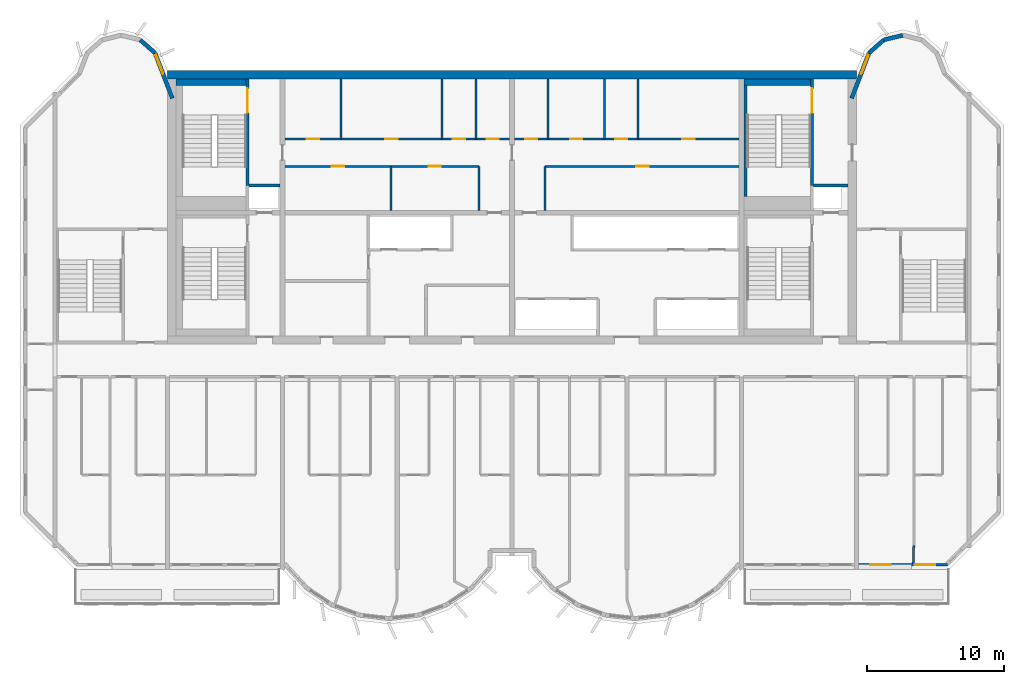
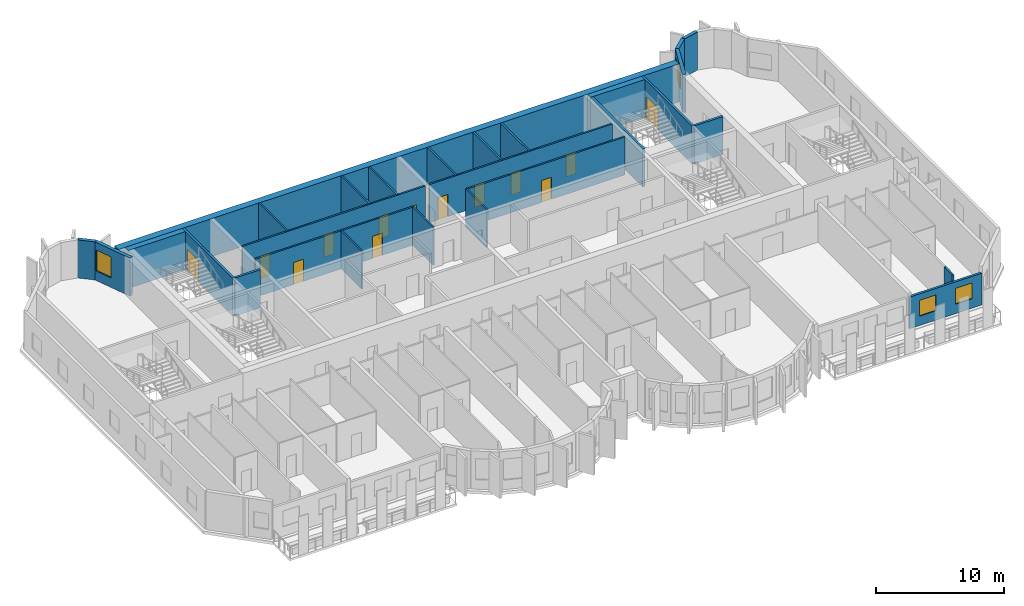
# One storey, part 7 of 11: 28 walls, 13 doors, 4 windows, 17 openings.
"""IFC4 building model written with IfcOpenShell, lengths in metres."""

from ifc_helpers import new_model, si_unit, direction, frame, frame_2d, origin, place, context, subcontext, project, spatial, rectangle, extrude, source, transform, mapped, material, layer, layer_set, type_object, element, fill, save


model = new_model("IFC4")

# Units and contexts
model_context = context("Model", 3, precision=1e-05, world=origin(), true_north=direction((0.0, 1.0)))
body_context = subcontext(model_context, "Body", "Model", "MODEL_VIEW")
ifc_project = project(units=[si_unit("LENGTHUNIT", "METRE"), si_unit("AREAUNIT", "SQUARE_METRE"), si_unit("VOLUMEUNIT", "CUBIC_METRE"), si_unit("PLANEANGLEUNIT", "RADIAN"), si_unit("MASSUNIT", "GRAM", prefix="KILO")], contexts=[model_context])

# Site, building, storey
site_placement = place(None, origin())
site = spatial("IfcSite", under=ifc_project, at=site_placement, CompositionType="ELEMENT")
building_placement = place(site_placement, origin())
building = spatial("IfcBuilding", under=site, at=building_placement, Name="Vanashikhar Sky Hotel", CompositionType="ELEMENT")
storey_placement = place(building_placement, frame((0.0, 0.0, 225.699951171875)))
storey = spatial("IfcBuildingStorey", under=building, at=storey_placement, Name="L54", CompositionType="ELEMENT", Elevation=225.699951171875)

# Wall
ifc_material_1 = material(Name="Concrete M60", Category="concrete")
ifc_layer_1 = layer(ifc_material_1, 0.60009765625)
ifc_layer_set_1 = layer_set([ifc_layer_1], Name="RC core shell wall 600 Concrete M60")
wall_type_1 = type_object("IfcWallType", Name="RC core shell wall 600 Concrete M60", PredefinedType="SHEAR", material=ifc_layer_set_1)
shared_shape_1 = source(origin(), body_context, "Body", "SweptSolid", [
    extrude(rectangle(XDim=50.400146484375, YDim=0.60009765625, at=frame_2d((25.2001953125, 0.0))), origin(), (0.0, 0.0, 1.0), 3.6201171875),
])
wall_1_placement = place(storey_placement, frame((25.199951171875, 41.699951171875, 0.0), z_axis=(0.0, 0.0, 1.0), x_axis=(1.0, 0.0, 0.0)))
element("IfcWall", 1, at=wall_1_placement, inside=storey, type_object=wall_type_1, Name="KW-L54-KN", PredefinedType="SHEAR", context=body_context, shape_type="MappedRepresentation", body=[
    mapped(shared_shape_1, transform((0.0, 0.0, 0.0), scale=1.0)),
])

# Wall, openings, windows
ifc_material_2 = material(Name="Concrete M50", Category="concrete")
ifc_layer_2 = layer(ifc_material_2, 0.199951171875)
ifc_layer_set_2 = layer_set([ifc_layer_2], Name="Front window wall 200")
wall_type_2 = type_object("IfcWallType", Name="Front window wall 200", PredefinedType="SOLIDWALL", material=ifc_layer_set_2)
shared_shape_2 = source(origin(), body_context, "Body", "SweptSolid", [
    extrude(rectangle(XDim=6.5048828125, YDim=0.199951171875, at=frame_2d((3.25244140625, 0.0))), origin(), (0.0, 0.0, 1.0), 3.02001953125),
])
wall_2_placement = place(storey_placement, frame((75.75, 5.85009765625, 0.0), z_axis=(0.0, 0.0, 1.0), x_axis=(1.0, 0.0, 0.0)))
wall_2 = element("IfcWall", 2, at=wall_2_placement, inside=storey, type_object=wall_type_2, Name="Front window wall", PredefinedType="SOLIDWALL", context=body_context, shape_type="MappedRepresentation", body=[
    mapped(shared_shape_2, transform((0.0, 0.0, 0.0), scale=1.0)),
])
shared_shape_3 = source(origin(), body_context, "Body", "SweptSolid", [
    extrude(rectangle(XDim=1.5, YDim=1.5, at=frame_2d((0.75, 0.75))), frame((0.0, 0.10986328125, 0.0), z_axis=(0.0, -1.0, 0.0), x_axis=(1.0, 0.0, 0.0)), (0.0, 0.0, 1.0), 0.219970703125),
])
opening_1_placement = place(wall_2_placement, frame((0.876220703125, 0.0, 0.89990234375)))
opening_1 = element("IfcOpeningElement", 3, at=opening_1_placement, cuts=wall_2, Name="Opening WN-1", PredefinedType="OPENING", context=body_context, shape_type="MappedRepresentation", body=[
    mapped(shared_shape_3, transform((0.0, 0.0, 0.0), scale=1.0)),
])
opening_2_placement = place(wall_2_placement, frame((4.128662109375, 0.0, 0.89990234375)))
opening_2 = element("IfcOpeningElement", 4, at=opening_2_placement, cuts=wall_2, Name="Opening WN-1", PredefinedType="OPENING", context=body_context, shape_type="MappedRepresentation", body=[
    mapped(shared_shape_3, transform((0.0, 0.0, 0.0), scale=1.0)),
])
ifc_material_3 = material(Name="Glass", Category="glass")
window_type_1 = type_object("IfcWindowType", Name="Window 1500 x 1500", PartitioningType="SINGLE_PANEL", PredefinedType="WINDOW", material=ifc_material_3)
shared_shape_4 = source(origin(), body_context, "Body", "SweptSolid", [
    extrude(rectangle(XDim=1.5, YDim=1.5, at=frame_2d((0.75, 0.75))), frame((0.0, 0.030029296875, 0.0), z_axis=(0.0, -1.0, 0.0), x_axis=(1.0, 0.0, 0.0)), (0.0, 0.0, 1.0), 0.06005859375),
])
window_1_placement = place(opening_1_placement, origin())
window_1 = element("IfcWindow", 5, at=window_1_placement, inside=storey, type_object=window_type_1, Name="Window WN-1", OverallHeight=1.5, OverallWidth=1.5, PartitioningType="SINGLE_PANEL", PredefinedType="WINDOW", context=body_context, shape_type="MappedRepresentation", body=[
    mapped(shared_shape_4, transform((0.0, 0.0, 0.0), scale=1.0)),
])
fill(opening_1, window_1)
window_2_placement = place(opening_2_placement, origin())
window_2 = element("IfcWindow", 6, at=window_2_placement, inside=storey, type_object=window_type_1, Name="Window WN-1", OverallHeight=1.5, OverallWidth=1.5, PartitioningType="SINGLE_PANEL", PredefinedType="WINDOW", context=body_context, shape_type="MappedRepresentation", body=[
    mapped(shared_shape_4, transform((0.0, 0.0, 0.0), scale=1.0)),
])
fill(opening_2, window_2)

# Walls
ifc_layer_3 = layer(ifc_material_2, 0.300048828125)
ifc_layer_set_3 = layer_set([ifc_layer_3], Name="Lobe wall 300")
wall_type_3 = type_object("IfcWallType", Name="Lobe wall 300", PredefinedType="SOLIDWALL", material=ifc_layer_set_3)
shared_shape_5 = source(origin(), body_context, "Body", "SweptSolid", [
    extrude(rectangle(XDim=1.43994140625, YDim=0.300048828125, at=frame_2d((0.719970703125, 0.0))), origin(), (0.0, 0.0, 1.0), 3.6201171875),
])
wall_3_placement = place(storey_placement, frame((77.602783203125, 44.2451171875, 0.0), z_axis=(0.0, 0.0, 1.0), x_axis=(-0.74957555648, -0.661918790432, 0.0)))
element("IfcWall", 7, at=wall_3_placement, inside=storey, type_object=wall_type_3, Name="Lobe wall", PredefinedType="SOLIDWALL", context=body_context, shape_type="MappedRepresentation", body=[
    mapped(shared_shape_5, transform((0.0, 0.0, 0.0), scale=1.0)),
])
shared_shape_6 = source(origin(), body_context, "Body", "SweptSolid", [
    extrude(rectangle(XDim=1.438720703125, YDim=0.300048828125, at=frame_2d((0.71923828125, 0.0))), origin(), (0.0, 0.0, 1.0), 3.6201171875),
])
wall_4_placement = place(storey_placement, frame((79.0, 44.588134765625, 0.0), z_axis=(0.0, 0.0, 1.0), x_axis=(-0.971161932466, -0.238420848351, 0.0)))
element("IfcWall", 8, at=wall_4_placement, inside=storey, type_object=wall_type_3, Name="Lobe wall", PredefinedType="SOLIDWALL", context=body_context, shape_type="MappedRepresentation", body=[
    mapped(shared_shape_6, transform((0.0, 0.0, 0.0), scale=1.0)),
])

# Wall, opening, window
shared_shape_7 = source(origin(), body_context, "Body", "SweptSolid", [
    extrude(rectangle(XDim=3.55908203125, YDim=0.300048828125, at=frame_2d((1.779541015625, 0.0))), origin(), (0.0, 0.0, 1.0), 3.6201171875),
])
wall_5_placement = place(storey_placement, frame((76.5234375, 43.2919921875, 0.0), z_axis=(0.0, 0.0, 1.0), x_axis=(-0.35779745313, -0.933799219604, 0.0)))
wall_5 = element("IfcWall", 9, at=wall_5_placement, inside=storey, type_object=wall_type_3, Name="Lobe wall", PredefinedType="SOLIDWALL", context=body_context, shape_type="MappedRepresentation", body=[
    mapped(shared_shape_7, transform((0.0, 0.0, 0.0), scale=1.0)),
])
shared_shape_8 = source(origin(), body_context, "Body", "SweptSolid", [
    extrude(rectangle(XDim=1.5, YDim=2.0, at=frame_2d((0.75, 1.0))), frame((0.0, 0.16015625, 0.0), z_axis=(0.0, -1.0, 0.0), x_axis=(1.0, 0.0, 0.0)), (0.0, 0.0, 1.0), 0.320068359375),
])
opening_3_placement = place(wall_5_placement, frame((0.156005859375, 0.0, 0.89990234375)))
opening_3 = element("IfcOpeningElement", 10, at=opening_3_placement, cuts=wall_5, Name="Opening WN-2", PredefinedType="OPENING", context=body_context, shape_type="MappedRepresentation", body=[
    mapped(shared_shape_8, transform((0.0, 0.0, 0.0), scale=1.0)),
])
window_type_2 = type_object("IfcWindowType", Name="Lobe window 1500 x 2000", PartitioningType="SINGLE_PANEL", PredefinedType="WINDOW", material=ifc_material_3)
shared_shape_9 = source(origin(), body_context, "Body", "SweptSolid", [
    extrude(rectangle(XDim=1.5, YDim=2.0, at=frame_2d((0.75, 1.0))), frame((0.0, 0.030029296875, 0.0), z_axis=(0.0, -1.0, 0.0), x_axis=(1.0, 0.0, 0.0)), (0.0, 0.0, 1.0), 0.06005859375),
])
window_3_placement = place(opening_3_placement, origin())
window_3 = element("IfcWindow", 11, at=window_3_placement, inside=storey, type_object=window_type_2, Name="Window WN-2", OverallHeight=2.0, OverallWidth=1.5, PartitioningType="SINGLE_PANEL", PredefinedType="WINDOW", context=body_context, shape_type="MappedRepresentation", body=[
    mapped(shared_shape_9, transform((0.0, 0.0, 0.0), scale=1.0)),
])
fill(opening_3, window_3)

wall_6_placement = place(storey_placement, frame((25.550048828125, 39.968505859375, 0.0), z_axis=(0.0, 0.0, 1.0), x_axis=(-0.35779745313, 0.933799219604, 0.0)))
wall_6 = element("IfcWall", 12, at=wall_6_placement, inside=storey, type_object=wall_type_3, Name="Lobe wall", PredefinedType="SOLIDWALL", context=body_context, shape_type="MappedRepresentation", body=[
    mapped(shared_shape_7, transform((0.0, 0.0, 0.0), scale=1.0)),
])
opening_4_placement = place(wall_6_placement, frame((1.9033203125, 0.0, 0.89990234375)))
opening_4 = element("IfcOpeningElement", 13, at=opening_4_placement, cuts=wall_6, Name="Opening WN-2", PredefinedType="OPENING", context=body_context, shape_type="MappedRepresentation", body=[
    mapped(shared_shape_8, transform((0.0, 0.0, 0.0), scale=1.0)),
])
window_4_placement = place(opening_4_placement, origin())
window_4 = element("IfcWindow", 14, at=window_4_placement, inside=storey, type_object=window_type_2, Name="Window WN-2", OverallHeight=2.0, OverallWidth=1.5, PartitioningType="SINGLE_PANEL", PredefinedType="WINDOW", context=body_context, shape_type="MappedRepresentation", body=[
    mapped(shared_shape_9, transform((0.0, 0.0, 0.0), scale=1.0)),
])
fill(opening_4, window_4)

# Walls
shared_shape_10 = source(origin(), body_context, "Body", "SweptSolid", [
    extrude(rectangle(XDim=1.440185546875, YDim=0.300048828125, at=frame_2d((0.72021484375, 0.0))), origin(), (0.0, 0.0, 1.0), 3.6201171875),
])
wall_7_placement = place(storey_placement, frame((24.276611328125, 43.2919921875, 0.0), z_axis=(0.0, 0.0, 1.0), x_axis=(-0.749649827867, 0.661834673902, 0.0)))
element("IfcWall", 15, at=wall_7_placement, inside=storey, type_object=wall_type_3, Name="Lobe wall", PredefinedType="SOLIDWALL", context=body_context, shape_type="MappedRepresentation", body=[
    mapped(shared_shape_10, transform((0.0, 0.0, 0.0), scale=1.0)),
])
ifc_material_4 = material(Name="Gypsum board partition")
ifc_layer_4 = layer(ifc_material_4, 0.14990234375)
ifc_layer_set_4 = layer_set([ifc_layer_4], Name="Service partition 150")
wall_type_4 = type_object("IfcWallType", Name="Service partition 150", PredefinedType="PARTITIONING", material=ifc_layer_set_4)
shared_shape_11 = source(origin(), body_context, "Body", "SweptSolid", [
    extrude(rectangle(XDim=3.22509765625, YDim=0.14990234375, at=frame_2d((1.612548828125, 0.0))), origin(), (0.0, 0.0, 1.0), 3.6201171875),
])
for number, where, z_axis, x_axis, name in (
    (16, (48.0, 31.77490234375, 0.0), (0.0, 0.0, 1.0), (0.0, 1.0, 0.0), "Service partition 150"),
    (17, (41.556884765625, 31.77490234375, 0.0), (0.0, 0.0, 1.0), (0.0, 1.0, 0.0), "Service partition 150"),
    (18, (52.800048828125, 31.77490234375, 0.0), (0.0, 0.0, 1.0), (0.0, 1.0, 0.0), "Service partition 150"),
):
    element("IfcWall", number, at=place(storey_placement, frame(where, z_axis=z_axis, x_axis=x_axis)), inside=storey, type_object=wall_type_4, Name=name, PredefinedType="PARTITIONING", context=body_context, shape_type="MappedRepresentation", body=[
        mapped(shared_shape_11, transform((0.0, 0.0, 0.0), scale=1.0)),
    ])

# Wall, openings, doors
shared_shape_12 = source(origin(), body_context, "Body", "SweptSolid", [
    extrude(rectangle(XDim=14.22509765625, YDim=0.14990234375, at=frame_2d((7.112548828125, 0.0))), origin(), (0.0, 0.0, 1.0), 3.6201171875),
])
wall_8_placement = place(storey_placement, frame((33.77490234375, 35.0, 0.0), z_axis=(0.0, 0.0, 1.0), x_axis=(1.0, 0.0, 0.0)))
wall_8 = element("IfcWall", 19, at=wall_8_placement, inside=storey, type_object=wall_type_4, Name="Service partition 150", PredefinedType="PARTITIONING", context=body_context, shape_type="MappedRepresentation", body=[
    mapped(shared_shape_12, transform((0.0, 0.0, 0.0), scale=1.0)),
])
shared_shape_13 = source(origin(), body_context, "Body", "SweptSolid", [
    extrude(rectangle(XDim=0.89990234375, YDim=2.10009765625, at=frame_2d((0.449951171875, 1.050048828125))), frame((0.0, 0.0849609375, 0.0), z_axis=(0.0, -1.0, 0.0), x_axis=(1.0, 0.0, 0.0)), (0.0, 0.0, 1.0), 0.169921875),
])
opening_5_placement = place(wall_8_placement, frame((3.44091796875, 0.0, 0.0)))
opening_5 = element("IfcOpeningElement", 20, at=opening_5_placement, cuts=wall_8, Name="Opening DC-4-A", PredefinedType="OPENING", context=body_context, shape_type="MappedRepresentation", body=[
    mapped(shared_shape_13, transform((0.0, 0.0, 0.0), scale=1.0)),
])
opening_6_placement = place(wall_8_placement, frame((10.51611328125, 0.0, 0.0)))
opening_6 = element("IfcOpeningElement", 21, at=opening_6_placement, cuts=wall_8, Name="Opening DC-4-A", PredefinedType="OPENING", context=body_context, shape_type="MappedRepresentation", body=[
    mapped(shared_shape_13, transform((0.0, 0.0, 0.0), scale=1.0)),
])
ifc_material_5 = material(Name="Steel", Category="steel")
door_type_1 = type_object("IfcDoorType", Name="Service door 900 FD60", OperationType="NOTDEFINED", PredefinedType="DOOR", material=ifc_material_5)
shared_shape_14 = source(origin(), body_context, "Body", "SweptSolid", [
    extrude(rectangle(XDim=0.89990234375, YDim=2.10009765625, at=frame_2d((0.449951171875, 1.050048828125))), frame((0.0, 0.02490234375, 0.0), z_axis=(0.0, -1.0, 0.0), x_axis=(1.0, 0.0, 0.0)), (0.0, 0.0, 1.0), 0.050048828125),
])
door_1_placement = place(opening_5_placement, origin())
door_1 = element("IfcDoor", 22, at=door_1_placement, inside=storey, type_object=door_type_1, Name="Service door 900 FD60", OperationType="SINGLE_SWING_LEFT", OverallHeight=2.10009765625, OverallWidth=0.89990234375, PredefinedType="DOOR", context=body_context, shape_type="MappedRepresentation", body=[
    mapped(shared_shape_14, transform((0.0, 0.0, 0.0), scale=1.0)),
])
fill(opening_5, door_1)
door_2_placement = place(opening_6_placement, origin())
door_2 = element("IfcDoor", 23, at=door_2_placement, inside=storey, type_object=door_type_1, Name="Service door 900 FD60", OperationType="SINGLE_SWING_RIGHT", OverallHeight=2.10009765625, OverallWidth=0.89990234375, PredefinedType="DOOR", context=body_context, shape_type="MappedRepresentation", body=[
    mapped(shared_shape_14, transform((0.0, 0.0, 0.0), scale=1.0)),
])
fill(opening_6, door_2)

shared_shape_15 = source(origin(), body_context, "Body", "SweptSolid", [
    extrude(rectangle(XDim=16.4501953125, YDim=0.14990234375, at=frame_2d((8.22509765625, 0.0))), origin(), (0.0, 0.0, 1.0), 3.6201171875),
])
wall_9_placement = place(storey_placement, frame((33.77490234375, 37.0, 0.0), z_axis=(0.0, 0.0, 1.0), x_axis=(1.0, 0.0, 0.0)))
wall_9 = element("IfcWall", 24, at=wall_9_placement, inside=storey, type_object=wall_type_4, Name="Service partition 150", PredefinedType="PARTITIONING", context=body_context, shape_type="MappedRepresentation", body=[
    mapped(shared_shape_15, transform((0.0, 0.0, 0.0), scale=1.0)),
])
opening_7_placement = place(wall_9_placement, frame((1.60595703125, 0.0, 0.0)))
opening_7 = element("IfcOpeningElement", 25, at=opening_7_placement, cuts=wall_9, Name="Opening DC-4-A", PredefinedType="OPENING", context=body_context, shape_type="MappedRepresentation", body=[
    mapped(shared_shape_13, transform((0.0, 0.0, 0.0), scale=1.0)),
])
opening_8_placement = place(wall_9_placement, frame((7.364013671875, 0.0, 0.0)))
opening_8 = element("IfcOpeningElement", 26, at=opening_8_placement, cuts=wall_9, Name="Opening DC-4-A", PredefinedType="OPENING", context=body_context, shape_type="MappedRepresentation", body=[
    mapped(shared_shape_13, transform((0.0, 0.0, 0.0), scale=1.0)),
])
opening_9_placement = place(wall_9_placement, frame((12.299072265625, 0.0, 0.0)))
opening_9 = element("IfcOpeningElement", 27, at=opening_9_placement, cuts=wall_9, Name="Opening DC-4-A", PredefinedType="OPENING", context=body_context, shape_type="MappedRepresentation", body=[
    mapped(shared_shape_13, transform((0.0, 0.0, 0.0), scale=1.0)),
])
opening_10_placement = place(wall_9_placement, frame((14.76611328125, 0.0, 0.0)))
opening_10 = element("IfcOpeningElement", 28, at=opening_10_placement, cuts=wall_9, Name="Opening DC-4-A", PredefinedType="OPENING", context=body_context, shape_type="MappedRepresentation", body=[
    mapped(shared_shape_13, transform((0.0, 0.0, 0.0), scale=1.0)),
])
door_3_placement = place(opening_7_placement, origin())
door_3 = element("IfcDoor", 29, at=door_3_placement, inside=storey, type_object=door_type_1, Name="Service door 900 FD60", OperationType="SINGLE_SWING_RIGHT", OverallHeight=2.10009765625, OverallWidth=0.89990234375, PredefinedType="DOOR", context=body_context, shape_type="MappedRepresentation", body=[
    mapped(shared_shape_14, transform((0.0, 0.0, 0.0), scale=1.0)),
])
fill(opening_7, door_3)
door_4_placement = place(opening_8_placement, origin())
door_4 = element("IfcDoor", 30, at=door_4_placement, inside=storey, type_object=door_type_1, Name="Service door 900 FD60", OperationType="SINGLE_SWING_LEFT", OverallHeight=2.10009765625, OverallWidth=0.89990234375, PredefinedType="DOOR", context=body_context, shape_type="MappedRepresentation", body=[
    mapped(shared_shape_14, transform((0.0, 0.0, 0.0), scale=1.0)),
])
fill(opening_8, door_4)
door_5_placement = place(opening_9_placement, origin())
door_5 = element("IfcDoor", 31, at=door_5_placement, inside=storey, type_object=door_type_1, Name="Service door 900 FD60", OperationType="SINGLE_SWING_LEFT", OverallHeight=2.10009765625, OverallWidth=0.89990234375, PredefinedType="DOOR", context=body_context, shape_type="MappedRepresentation", body=[
    mapped(shared_shape_14, transform((0.0, 0.0, 0.0), scale=1.0)),
])
fill(opening_9, door_5)
door_6_placement = place(opening_10_placement, origin())
door_6 = element("IfcDoor", 32, at=door_6_placement, inside=storey, type_object=door_type_1, Name="Service door 900 FD60", OperationType="SINGLE_SWING_LEFT", OverallHeight=2.10009765625, OverallWidth=0.89990234375, PredefinedType="DOOR", context=body_context, shape_type="MappedRepresentation", body=[
    mapped(shared_shape_14, transform((0.0, 0.0, 0.0), scale=1.0)),
])
fill(opening_10, door_6)

# Walls
shared_shape_16 = source(origin(), body_context, "Body", "SweptSolid", [
    extrude(rectangle(XDim=4.39990234375, YDim=0.14990234375, at=frame_2d((2.199951171875, 0.0))), origin(), (0.0, 0.0, 1.0), 3.6201171875),
])
for number, where, z_axis, x_axis, name in (
    (33, (37.887939453125, 37.0, 0.0), (0.0, 0.0, 1.0), (0.0, 1.0, 0.0), "Service partition 150"),
    (34, (45.2900390625, 37.0, 0.0), (0.0, 0.0, 1.0), (0.0, 1.0, 0.0), "Service partition 150"),
    (35, (47.758056640625, 37.0, 0.0), (0.0, 0.0, 1.0), (0.0, 1.0, 0.0), "Service partition 150"),
    (36, (59.6220703125, 37.0, 0.0), (0.0, 0.0, 1.0), (0.0, 1.0, 0.0), "Service partition 150"),
    (37, (57.155029296875, 37.0, 0.0), (0.0, 0.0, 1.0), (0.0, 1.0, 0.0), "Service partition 150"),
    (38, (53.0419921875, 37.0, 0.0), (0.0, 0.0, 1.0), (0.0, 1.0, 0.0), "Service partition 150"),
):
    element("IfcWall", number, at=place(storey_placement, frame(where, z_axis=z_axis, x_axis=x_axis)), inside=storey, type_object=wall_type_4, Name=name, PredefinedType="PARTITIONING", context=body_context, shape_type="MappedRepresentation", body=[
        mapped(shared_shape_16, transform((0.0, 0.0, 0.0), scale=1.0)),
    ])

# Wall, opening, door
shared_shape_17 = source(origin(), body_context, "Body", "SweptSolid", [
    extrude(rectangle(XDim=14.224853515625, YDim=0.14990234375, at=frame_2d((7.1123046875, 0.0))), origin(), (0.0, 0.0, 1.0), 3.6201171875),
])
wall_10_placement = place(storey_placement, frame((67.02490234375, 35.0, 0.0), z_axis=(0.0, 0.0, 1.0), x_axis=(-1.0, 0.0, 0.0)))
wall_10 = element("IfcWall", 39, at=wall_10_placement, inside=storey, type_object=wall_type_4, Name="Service partition 150", PredefinedType="PARTITIONING", context=body_context, shape_type="MappedRepresentation", body=[
    mapped(shared_shape_17, transform((0.0, 0.0, 0.0), scale=1.0)),
])
opening_11_placement = place(wall_10_placement, frame((6.625, 0.0, 0.0)))
opening_11 = element("IfcOpeningElement", 40, at=opening_11_placement, cuts=wall_10, Name="Opening DC-4-A", PredefinedType="OPENING", context=body_context, shape_type="MappedRepresentation", body=[
    mapped(shared_shape_13, transform((0.0, 0.0, 0.0), scale=1.0)),
])
door_7_placement = place(opening_11_placement, origin())
door_7 = element("IfcDoor", 41, at=door_7_placement, inside=storey, type_object=door_type_1, Name="Service door 900 FD60", OperationType="SINGLE_SWING_RIGHT", OverallHeight=2.10009765625, OverallWidth=0.89990234375, PredefinedType="DOOR", context=body_context, shape_type="MappedRepresentation", body=[
    mapped(shared_shape_14, transform((0.0, 0.0, 0.0), scale=1.0)),
])
fill(opening_11, door_7)

# Wall, openings, doors
shared_shape_18 = source(origin(), body_context, "Body", "SweptSolid", [
    extrude(rectangle(XDim=16.449951171875, YDim=0.14990234375, at=frame_2d((8.22509765625, 0.0))), origin(), (0.0, 0.0, 1.0), 3.6201171875),
])
wall_11_placement = place(storey_placement, frame((67.02490234375, 37.0, 0.0), z_axis=(0.0, 0.0, 1.0), x_axis=(-1.0, 0.0, 0.0)))
wall_11 = element("IfcWall", 42, at=wall_11_placement, inside=storey, type_object=wall_type_4, Name="Service partition 150", PredefinedType="PARTITIONING", context=body_context, shape_type="MappedRepresentation", body=[
    mapped(shared_shape_18, transform((0.0, 0.0, 0.0), scale=1.0)),
])
opening_12_placement = place(wall_11_placement, frame((3.2509765625, 0.0, 0.0)))
opening_12 = element("IfcOpeningElement", 43, at=opening_12_placement, cuts=wall_11, Name="Opening DC-4-A", PredefinedType="OPENING", context=body_context, shape_type="MappedRepresentation", body=[
    mapped(shared_shape_13, transform((0.0, 0.0, 0.0), scale=1.0)),
])
opening_13_placement = place(wall_11_placement, frame((8.18603515625, 0.0, 0.0)))
opening_13 = element("IfcOpeningElement", 44, at=opening_13_placement, cuts=wall_11, Name="Opening DC-4-A", PredefinedType="OPENING", context=body_context, shape_type="MappedRepresentation", body=[
    mapped(shared_shape_13, transform((0.0, 0.0, 0.0), scale=1.0)),
])
opening_14_placement = place(wall_11_placement, frame((11.47607421875, 0.0, 0.0)))
opening_14 = element("IfcOpeningElement", 45, at=opening_14_placement, cuts=wall_11, Name="Opening DC-4-A", PredefinedType="OPENING", context=body_context, shape_type="MappedRepresentation", body=[
    mapped(shared_shape_13, transform((0.0, 0.0, 0.0), scale=1.0)),
])
opening_15_placement = place(wall_11_placement, frame((14.76611328125, 0.0, 0.0)))
opening_15 = element("IfcOpeningElement", 46, at=opening_15_placement, cuts=wall_11, Name="Opening DC-4-A", PredefinedType="OPENING", context=body_context, shape_type="MappedRepresentation", body=[
    mapped(shared_shape_13, transform((0.0, 0.0, 0.0), scale=1.0)),
])
door_8_placement = place(opening_12_placement, origin())
door_8 = element("IfcDoor", 47, at=door_8_placement, inside=storey, type_object=door_type_1, Name="Service door 900 FD60", OperationType="SINGLE_SWING_RIGHT", OverallHeight=2.10009765625, OverallWidth=0.89990234375, PredefinedType="DOOR", context=body_context, shape_type="MappedRepresentation", body=[
    mapped(shared_shape_14, transform((0.0, 0.0, 0.0), scale=1.0)),
])
fill(opening_12, door_8)
door_9_placement = place(opening_13_placement, origin())
door_9 = element("IfcDoor", 48, at=door_9_placement, inside=storey, type_object=door_type_1, Name="Service door 900 FD60", OperationType="SINGLE_SWING_RIGHT", OverallHeight=2.10009765625, OverallWidth=0.89990234375, PredefinedType="DOOR", context=body_context, shape_type="MappedRepresentation", body=[
    mapped(shared_shape_14, transform((0.0, 0.0, 0.0), scale=1.0)),
])
fill(opening_13, door_9)
door_10_placement = place(opening_14_placement, origin())
door_10 = element("IfcDoor", 49, at=door_10_placement, inside=storey, type_object=door_type_1, Name="Service door 900 FD60", OperationType="SINGLE_SWING_RIGHT", OverallHeight=2.10009765625, OverallWidth=0.89990234375, PredefinedType="DOOR", context=body_context, shape_type="MappedRepresentation", body=[
    mapped(shared_shape_14, transform((0.0, 0.0, 0.0), scale=1.0)),
])
fill(opening_14, door_10)
door_11_placement = place(opening_15_placement, origin())
door_11 = element("IfcDoor", 50, at=door_11_placement, inside=storey, type_object=door_type_1, Name="Service door 900 FD60", OperationType="SINGLE_SWING_RIGHT", OverallHeight=2.10009765625, OverallWidth=0.89990234375, PredefinedType="DOOR", context=body_context, shape_type="MappedRepresentation", body=[
    mapped(shared_shape_14, transform((0.0, 0.0, 0.0), scale=1.0)),
])
fill(opening_15, door_11)

# Wall
ifc_material_6 = material(Name="Concrete M40", Category="concrete")
ifc_layer_5 = layer(ifc_material_6, 0.199951171875)
ifc_layer_set_5 = layer_set([ifc_layer_5], Name="Shaft wall 200")
wall_type_5 = type_object("IfcWallType", Name="Shaft wall 200", PredefinedType="SOLIDWALL", material=ifc_layer_set_5)
shared_shape_19 = source(origin(), body_context, "Body", "SweptSolid", [
    extrude(rectangle(XDim=2.275146484375, YDim=0.199951171875, at=frame_2d((1.1376953125, 0.0))), origin(), (0.0, 0.0, 1.0), 3.6201171875),
])
wall_12_placement = place(storey_placement, frame((31.14990234375, 33.60009765625, 0.0), z_axis=(0.0, 0.0, 1.0), x_axis=(1.0, 0.0, 0.0)))
element("IfcWall", 51, at=wall_12_placement, inside=storey, type_object=wall_type_5, Name="Shaft wall 200", PredefinedType="SOLIDWALL", context=body_context, shape_type="MappedRepresentation", body=[
    mapped(shared_shape_19, transform((0.0, 0.0, 0.0), scale=1.0)),
])

# Wall, opening, door
ifc_layer_6 = layer(ifc_material_2, 0.199951171875)
ifc_layer_set_6 = layer_set([ifc_layer_6], Name="Stair wall 200")
wall_type_6 = type_object("IfcWallType", Name="Stair wall 200", PredefinedType="SOLIDWALL", material=ifc_layer_set_6)
shared_shape_20 = source(origin(), body_context, "Body", "SweptSolid", [
    extrude(rectangle(XDim=7.7998046875, YDim=0.199951171875, at=frame_2d((3.89990234375, 0.0))), origin(), (0.0, 0.0, 1.0), 3.6201171875),
])
wall_13_placement = place(storey_placement, frame((31.050048828125, 33.60009765625, 0.0), z_axis=(0.0, 0.0, 1.0), x_axis=(0.0, 1.0, 0.0)))
wall_13 = element("IfcWall", 52, at=wall_13_placement, inside=storey, type_object=wall_type_6, Name="Stair wall 200", PredefinedType="SOLIDWALL", context=body_context, shape_type="MappedRepresentation", body=[
    mapped(shared_shape_20, transform((0.0, 0.0, 0.0), scale=1.0)),
])
shared_shape_21 = source(origin(), body_context, "Body", "SweptSolid", [
    extrude(rectangle(XDim=1.800048828125, YDim=2.10009765625, at=frame_2d((0.89990234375, 1.050048828125))), frame((0.0, 0.10986328125, 0.0), z_axis=(0.0, -1.0, 0.0), x_axis=(1.0, 0.0, 0.0)), (0.0, 0.0, 1.0), 0.219970703125),
])
opening_16_placement = place(wall_13_placement, frame((5.300048828125, 0.0, 0.0)))
opening_16 = element("IfcOpeningElement", 53, at=opening_16_placement, cuts=wall_13, Name="Opening DC-1-A", PredefinedType="OPENING", context=body_context, shape_type="MappedRepresentation", body=[
    mapped(shared_shape_21, transform((0.0, 0.0, 0.0), scale=1.0)),
])
door_type_2 = type_object("IfcDoorType", Name="Stair door 1800 FD120", OperationType="NOTDEFINED", PredefinedType="DOOR", material=ifc_material_5)
shared_shape_22 = source(origin(), body_context, "Body", "SweptSolid", [
    extrude(rectangle(XDim=1.800048828125, YDim=2.10009765625, at=frame_2d((0.89990234375, 1.050048828125))), frame((0.0, 0.02490234375, 0.0), z_axis=(0.0, -1.0, 0.0), x_axis=(1.0, 0.0, 0.0)), (0.0, 0.0, 1.0), 0.050048828125),
])
door_12_placement = place(opening_16_placement, origin())
door_12 = element("IfcDoor", 54, at=door_12_placement, inside=storey, type_object=door_type_2, Name="Stair door 1800 FD120", OperationType="SINGLE_SWING_RIGHT", OverallHeight=2.10009765625, OverallWidth=1.800048828125, PredefinedType="DOOR", context=body_context, shape_type="MappedRepresentation", body=[
    mapped(shared_shape_22, transform((0.0, 0.0, 0.0), scale=1.0)),
])
fill(opening_16, door_12)

wall_14_placement = place(storey_placement, frame((72.35009765625, 33.60009765625, 0.0), z_axis=(0.0, 0.0, 1.0), x_axis=(0.0, 1.0, 0.0)))
wall_14 = element("IfcWall", 55, at=wall_14_placement, inside=storey, type_object=wall_type_6, Name="Stair wall 200", PredefinedType="SOLIDWALL", context=body_context, shape_type="MappedRepresentation", body=[
    mapped(shared_shape_20, transform((0.0, 0.0, 0.0), scale=1.0)),
])
opening_17_placement = place(wall_14_placement, frame((5.300048828125, 0.0, 0.0)))
opening_17 = element("IfcOpeningElement", 56, at=opening_17_placement, cuts=wall_14, Name="Opening DC-1-A", PredefinedType="OPENING", context=body_context, shape_type="MappedRepresentation", body=[
    mapped(shared_shape_21, transform((0.0, 0.0, 0.0), scale=1.0)),
])
door_13_placement = place(opening_17_placement, origin())
door_13 = element("IfcDoor", 57, at=door_13_placement, inside=storey, type_object=door_type_2, Name="Stair door 1800 FD120", OperationType="SINGLE_SWING_RIGHT", OverallHeight=2.10009765625, OverallWidth=1.800048828125, PredefinedType="DOOR", context=body_context, shape_type="MappedRepresentation", body=[
    mapped(shared_shape_22, transform((0.0, 0.0, 0.0), scale=1.0)),
])
fill(opening_17, door_13)

# Walls
shared_shape_23 = source(origin(), body_context, "Body", "SweptSolid", [
    extrude(rectangle(XDim=2.550048828125, YDim=0.199951171875, at=frame_2d((1.27490234375, 0.0))), origin(), (0.0, 0.0, 1.0), 3.6201171875),
])
wall_15_placement = place(storey_placement, frame((72.449951171875, 33.60009765625, 0.0), z_axis=(0.0, 0.0, 1.0), x_axis=(1.0, 0.0, 0.0)))
element("IfcWall", 58, at=wall_15_placement, inside=storey, type_object=wall_type_5, Name="Shaft wall 200", PredefinedType="SOLIDWALL", context=body_context, shape_type="MappedRepresentation", body=[
    mapped(shared_shape_23, transform((0.0, 0.0, 0.0), scale=1.0)),
])
ifc_layer_7 = layer(ifc_material_2, 0.5)
ifc_layer_set_7 = layer_set([ifc_layer_7], Name="Stair infill wall 500")
wall_type_7 = type_object("IfcWallType", Name="Stair infill wall 500", PredefinedType="SOLIDWALL", material=ifc_layer_set_7)
shared_shape_24 = source(origin(), body_context, "Body", "SweptSolid", [
    extrude(rectangle(XDim=5.14990234375, YDim=0.5, at=frame_2d((2.574951171875, 0.0))), origin(), (0.0, 0.0, 1.0), 3.6201171875),
])
wall_16_placement = place(storey_placement, frame((25.800048828125, 41.14990234375, 0.0), z_axis=(0.0, 0.0, 1.0), x_axis=(1.0, 0.0, 0.0)))
element("IfcWall", 59, at=wall_16_placement, inside=storey, type_object=wall_type_7, Name="Stair infill wall 500", PredefinedType="SOLIDWALL", context=body_context, shape_type="MappedRepresentation", body=[
    mapped(shared_shape_24, transform((0.0, 0.0, 0.0), scale=1.0)),
])
shared_shape_25 = source(origin(), body_context, "Body", "SweptSolid", [
    extrude(rectangle(XDim=4.875, YDim=0.5, at=frame_2d((2.4375, 0.0))), origin(), (0.0, 0.0, 1.0), 3.6201171875),
])
wall_17_placement = place(storey_placement, frame((67.375, 41.14990234375, 0.0), z_axis=(0.0, 0.0, 1.0), x_axis=(1.0, 0.0, 0.0)))
element("IfcWall", 60, at=wall_17_placement, inside=storey, type_object=wall_type_7, Name="Stair infill wall 500", PredefinedType="SOLIDWALL", context=body_context, shape_type="MappedRepresentation", body=[
    mapped(shared_shape_25, transform((0.0, 0.0, 0.0), scale=1.0)),
])
ifc_layer_8 = layer(ifc_material_2, 0.22509765625)
ifc_layer_set_8 = layer_set([ifc_layer_8], Name="Stair infill wall 225")
wall_type_8 = type_object("IfcWallType", Name="Stair infill wall 225", PredefinedType="SOLIDWALL", material=ifc_layer_set_8)
shared_shape_26 = source(origin(), body_context, "Body", "SweptSolid", [
    extrude(rectangle(XDim=8.099853515625, YDim=0.22509765625, at=frame_2d((4.0498046875, 0.0))), origin(), (0.0, 0.0, 1.0), 3.6201171875),
])
wall_18_placement = place(storey_placement, frame((67.487060546875, 32.800048828125, 0.0), z_axis=(0.0, 0.0, 1.0), x_axis=(0.0, 1.0, 0.0)))
element("IfcWall", 61, at=wall_18_placement, inside=storey, type_object=wall_type_8, Name="Stair infill wall 225", PredefinedType="SOLIDWALL", context=body_context, shape_type="MappedRepresentation", body=[
    mapped(shared_shape_26, transform((0.0, 0.0, 0.0), scale=1.0)),
])
ifc_material_7 = material(Name="Gypsum plasterboard partition")
ifc_layer_9 = layer(ifc_material_7, 0.14990234375)
ifc_layer_set_9 = layer_set([ifc_layer_9], Name="Corridor and demising partition 150")
wall_type_9 = type_object("IfcWallType", Name="Corridor and demising partition 150", PredefinedType="PARTITIONING", material=ifc_layer_set_9)
shared_shape_27 = source(origin(), body_context, "Body", "SweptSolid", [
    extrude(rectangle(XDim=1.30078125, YDim=0.14990234375, at=frame_2d((0.650390625, 0.0))), origin(), (0.0, 0.0, 1.0), 3.6201171875),
])
wall_19_placement = place(storey_placement, frame((79.759033203125, 5.949951171875, 0.0), z_axis=(0.0, 0.0, 1.0), x_axis=(0.031533606063, 0.999502692187, 0.0)))
element("IfcWall", 62, at=wall_19_placement, inside=storey, type_object=wall_type_9, Name="W-L54-PW046B0", PredefinedType="PARTITIONING", context=body_context, shape_type="MappedRepresentation", body=[
    mapped(shared_shape_27, transform((0.0, 0.0, 0.0), scale=1.0)),
])

save(model, "model.ifc")
